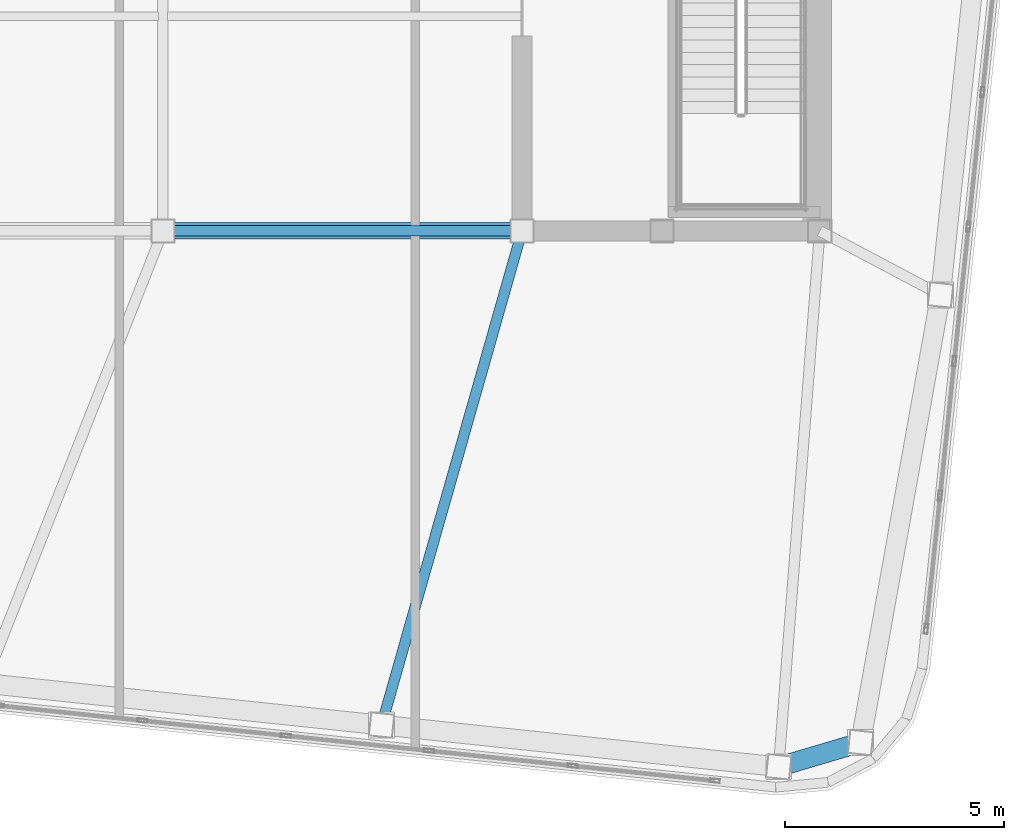
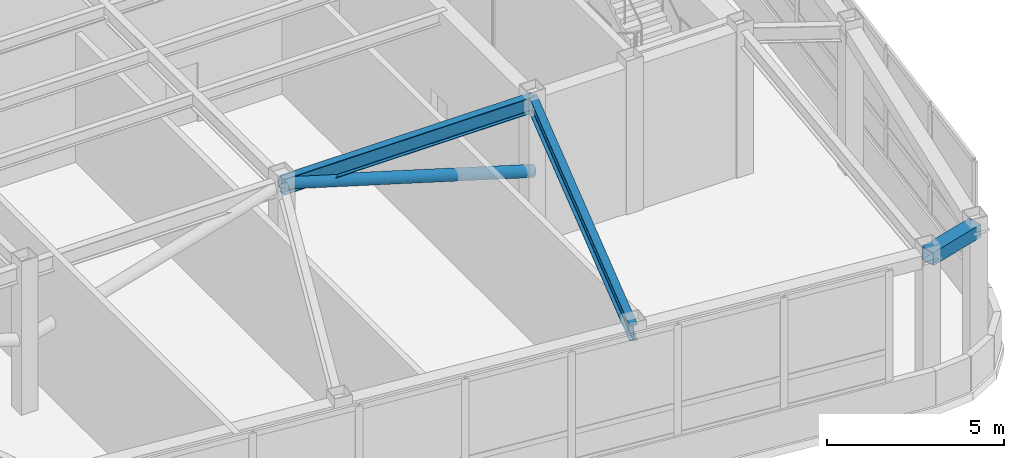
# One storey, part 10 of 23: 3 beams, 1 member.
"""IFC4 building model written with IfcOpenShell, lengths in metres."""

from ifc_helpers import new_model, si_unit, direction, frame, origin, origin_2d, place, context, subcontext, project, spatial, hollow_rectangle, hollow_circle, i_section, extrude, material, material_profile, profile_set, type_object, element, save


model = new_model("IFC4")

# Units and contexts
model_context = context("Model", 3, precision=1e-05, world=origin(), true_north=direction((0.0, 1.0)))
body_context = subcontext(model_context, "Body", "Model", "MODEL_VIEW")
ifc_project = project(units=[si_unit("LENGTHUNIT", "METRE"), si_unit("AREAUNIT", "SQUARE_METRE"), si_unit("VOLUMEUNIT", "CUBIC_METRE"), si_unit("PLANEANGLEUNIT", "RADIAN"), si_unit("MASSUNIT", "GRAM", prefix="KILO")], contexts=[model_context])

# Site, building, storey
site_placement = place(None, origin())
site = spatial("IfcSite", under=ifc_project, at=site_placement, CompositionType="ELEMENT")
building_placement = place(site_placement, origin())
building = spatial("IfcBuilding", under=site, at=building_placement, Name="Voryun Gate Residences", CompositionType="ELEMENT")
storey_placement = place(building_placement, frame((0.0, 0.0, 331.89990234375)))
storey = spatial("IfcBuildingStorey", under=building, at=storey_placement, Name="L81", CompositionType="ELEMENT", Elevation=331.89990234375)

# Beams
ifc_material_1 = material(Name="Steel SM355", Category="steel")
ifc_material_profile_1 = material_profile(ifc_material_1, hollow_rectangle(XDim=0.449951171875, YDim=0.449951171875, WallThickness=0.01806640625, at=origin_2d()), Name="BOX-450x450x18")
ifc_profile_set_1 = profile_set([ifc_material_profile_1], Name="Steel SM355")
beam_type_1 = type_object("IfcBeamType", Name="BM_CROWN_RING", PredefinedType="BEAM", material=ifc_profile_set_1)
beam_1_placement = place(storey_placement, frame((18.261474609375, -19.63818359375, 4.800048828125), z_axis=(0.958835963288, 0.283960552728, 0.0), x_axis=(-0.283960552728, 0.958835963288, 0.0)))
element("IfcBeam", 1, at=beam_1_placement, inside=storey, type_object=beam_type_1, Name="BM-L81-SPAND-06", PredefinedType="BEAM", context=body_context, shape_type="SweptSolid", body=[
    extrude(hollow_rectangle(XDim=0.449951171875, YDim=0.449951171875, WallThickness=0.01806640625, at=origin_2d()), origin(), (0.0, 0.0, 1.0), 1.95166015625),
])
ifc_material_2 = material(Name="Steel SM355", Category="steel")
ifc_material_profile_2 = material_profile(ifc_material_2, i_section(OverallWidth=0.239990234375, OverallDepth=0.550048828125, WebThickness=0.011962890625, FlangeThickness=0.02001953125, FilletRadius=0.01806640625, at=origin_2d()), Name="H-550x240x12x20")
ifc_profile_set_2 = profile_set([ifc_material_profile_2], Name="Steel SM355")
beam_type_2 = type_object("IfcBeamType", Name="BM_GIRD_550", PredefinedType="USERDEFINED", material=ifc_profile_set_2)
beam_2_placement = place(storey_placement, frame((4.199951171875, -7.39990234375, 4.75), z_axis=(1.0, 0.0, 0.0), x_axis=(0.0, 1.0, 0.0)))
element("IfcBeam", 2, at=beam_2_placement, inside=storey, type_object=beam_type_2, Name="BM-L81-SPG3-S", ObjectType="GIRDER", PredefinedType="USERDEFINED", context=body_context, shape_type="SweptSolid", body=[
    extrude(i_section(OverallWidth=0.239990234375, OverallDepth=0.550048828125, WebThickness=0.011962890625, FlangeThickness=0.02001953125, FilletRadius=0.01806640625, at=origin_2d()), origin(), (0.0, 0.0, 1.0), 8.199951171875),
])
beam_3_placement = place(storey_placement, frame((12.39990234375, -7.39990234375, 4.75), z_axis=(-0.273478609988, -0.961878084727, 0.0), x_axis=(0.961878084727, -0.273478609988, 0.0)))
element("IfcBeam", 3, at=beam_3_placement, inside=storey, type_object=beam_type_2, Name="BM-L81-RAD-S5", ObjectType="GIRDER", PredefinedType="USERDEFINED", context=body_context, shape_type="SweptSolid", body=[
    extrude(i_section(OverallWidth=0.239990234375, OverallDepth=0.550048828125, WebThickness=0.011962890625, FlangeThickness=0.02001953125, FilletRadius=0.01806640625, at=origin_2d()), origin(), (0.0, 0.0, 1.0), 11.732177734375),
])

# Member
ifc_material_3 = material(Name="Steel SM355", Category="steel")
ifc_material_profile_3 = material_profile(ifc_material_3, hollow_circle(Radius=0.18994140625, WallThickness=0.01806640625, at=origin_2d()), Name="CHS-380x18")
ifc_profile_set_3 = profile_set([ifc_material_profile_3], Name="Steel SM355")
member_type = type_object("IfcMemberType", Name="MBR_CROWN_DIAGRID", PredefinedType="BRACE", material=ifc_profile_set_3)
member_placement = place(storey_placement, frame((12.39990234375, -7.39990234375, 2.380126953125), z_axis=(-0.957662114733, 0.0, 0.287894553621), x_axis=(0.0, -1.0, 0.0)))
element("IfcMember", 4, at=member_placement, inside=storey, type_object=member_type, Name="L81 Lantern Spine Diagrid Brace 03", PredefinedType="BRACE", context=body_context, shape_type="SweptSolid", body=[
    extrude(hollow_circle(Radius=0.18994140625, WallThickness=0.01806640625, at=origin_2d()), origin(), (0.0, 0.0, 1.0), 8.5625),
])

save(model, "model.ifc")
